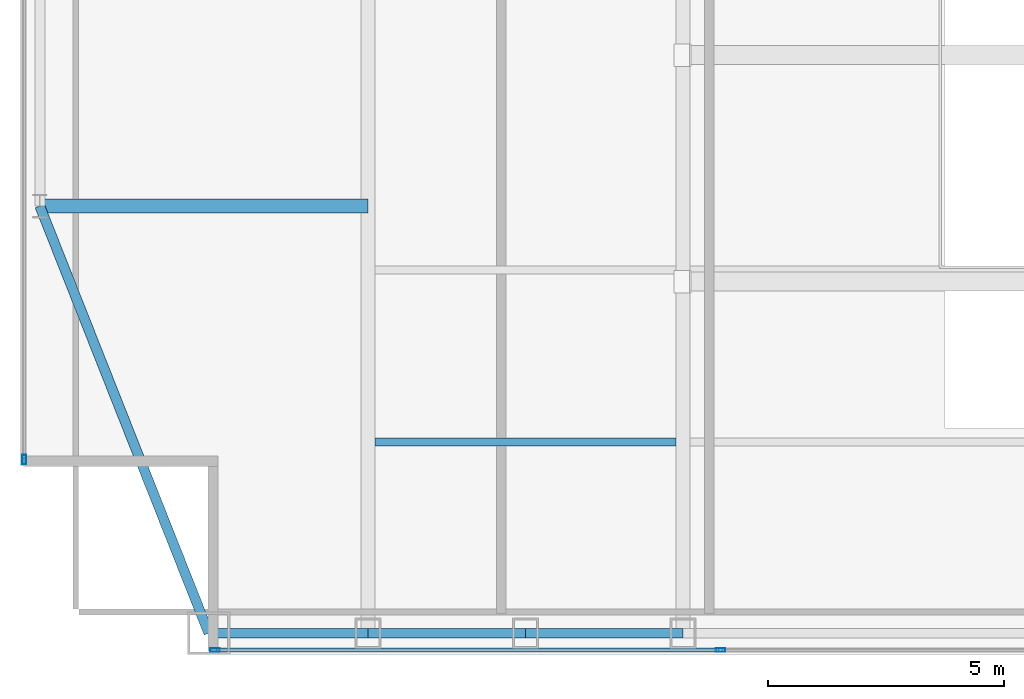
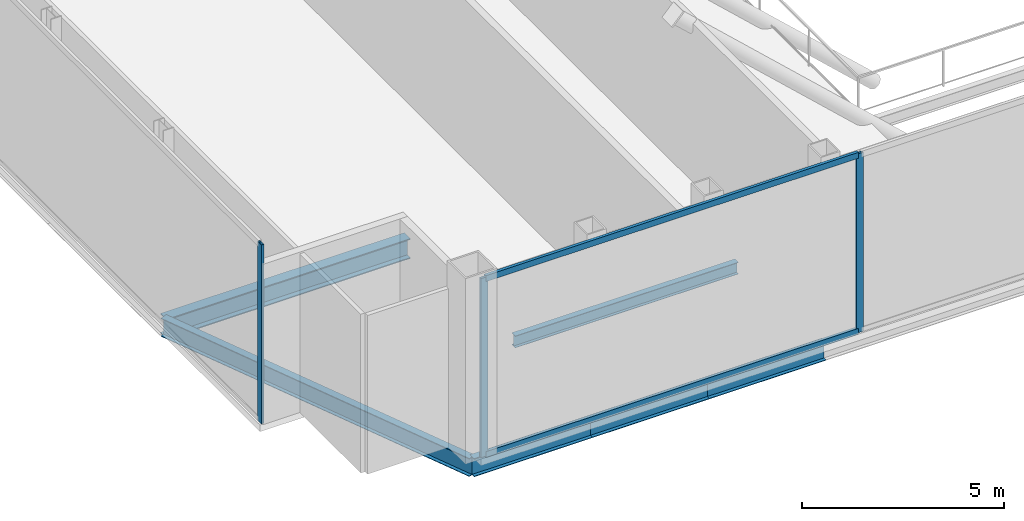
# One storey, part 4 of 23: 6 beams, 5 members, 2 elements without a shape of their own.
"""IFC4 building model written with IfcOpenShell, lengths in metres."""

from ifc_helpers import new_model, si_unit, direction, frame, origin, origin_2d, place, context, subcontext, project, spatial, hollow_rectangle, i_section, extrude, material, material_profile, profile_set, type_object, element, aggregate, save


model = new_model("IFC4")

# Units and contexts
model_context = context("Model", 3, precision=1e-05, world=origin(), true_north=direction((0.0, 1.0)))
body_context = subcontext(model_context, "Body", "Model", "MODEL_VIEW")
ifc_project = project(units=[si_unit("LENGTHUNIT", "METRE"), si_unit("AREAUNIT", "SQUARE_METRE"), si_unit("VOLUMEUNIT", "CUBIC_METRE"), si_unit("PLANEANGLEUNIT", "RADIAN"), si_unit("MASSUNIT", "GRAM", prefix="KILO")], contexts=[model_context])

# Site, building, storey
site_placement = place(None, origin())
site = spatial("IfcSite", under=ifc_project, at=site_placement, CompositionType="ELEMENT")
building_placement = place(site_placement, origin())
building = spatial("IfcBuilding", under=site, at=building_placement, Name="Khoronbel Lancet Exchange", CompositionType="ELEMENT")
storey_placement = place(building_placement, frame((0.0, 0.0, 356.199951171875)))
storey = spatial("IfcBuildingStorey", under=building, at=storey_placement, Name="L92", CompositionType="ELEMENT", Elevation=356.199951171875)

# Beams
ifc_material_1 = material(Name="Steel S355", Category="steel")
ifc_material_profile_1 = material_profile(ifc_material_1, i_section(OverallWidth=0.300048828125, OverallDepth=0.60009765625, WebThickness=0.015380859375, FlangeThickness=0.030029296875, at=origin_2d()), Name="HEB 600")
ifc_profile_set_1 = profile_set([ifc_material_profile_1], Name="Steel S355")
beam_type_1 = type_object("IfcBeamType", Name="BM-BG5", PredefinedType="BEAM", material=ifc_profile_set_1)
beam_1_placement = place(storey_placement, frame((11.27001953125, 19.199951171875, -0.5), z_axis=(1.0, 0.0, 0.0), x_axis=(0.0, 1.0, 0.0)))
element("IfcBeam", 1, at=beam_1_placement, inside=storey, type_object=beam_type_1, Name="Level L92 west lens tie girder LG1W", PredefinedType="BEAM", context=body_context, shape_type="SweptSolid", body=[
    extrude(i_section(OverallWidth=0.300048828125, OverallDepth=0.60009765625, WebThickness=0.015380859375, FlangeThickness=0.030029296875, at=origin_2d()), origin(), (0.0, 0.0, 1.0), 6.955078125),
])
ifc_material_profile_2 = material_profile(ifc_material_1, i_section(OverallWidth=0.169921875, OverallDepth=0.360107421875, WebThickness=0.008056640625, FlangeThickness=0.0126953125, at=origin_2d()), Name="IPE 360")
ifc_profile_set_2 = profile_set([ifc_material_profile_2], Name="Steel S355")
beam_type_2 = type_object("IfcBeamType", Name="BM-BJ6", PredefinedType="JOIST", material=ifc_profile_set_2)
beam_2_placement = place(storey_placement, frame((18.375, 14.199951171875, -0.3798828125), z_axis=(1.0, 0.0, 0.0), x_axis=(0.0, 1.0, 0.0)))
element("IfcBeam", 2, at=beam_2_placement, inside=storey, type_object=beam_type_2, Name="Level L92 secondary composite joist J01", PredefinedType="JOIST", context=body_context, shape_type="SweptSolid", body=[
    extrude(i_section(OverallWidth=0.169921875, OverallDepth=0.360107421875, WebThickness=0.008056640625, FlangeThickness=0.0126953125, at=origin_2d()), origin(), (0.0, 0.0, 1.0), 6.375),
])
ifc_material_profile_3 = material_profile(ifc_material_1, i_section(OverallWidth=0.2099609375, OverallDepth=0.550048828125, WebThickness=0.010986328125, FlangeThickness=0.01708984375, at=origin_2d()), Name="IPE 550")
ifc_profile_set_3 = profile_set([ifc_material_profile_3], Name="Steel S355")
beam_type_3 = type_object("IfcBeamType", Name="BM-BSP3", PredefinedType="SPANDREL", material=ifc_profile_set_3)
beam_3_placement = place(storey_placement, frame((14.85009765625, 10.14990234375, -0.474853515625), z_axis=(1.0, 0.0, 0.0), x_axis=(0.0, 1.0, 0.0)))
element("IfcBeam", 3, at=beam_3_placement, inside=storey, type_object=beam_type_3, Name="Level L92 perimeter spandrel beam SP01", PredefinedType="SPANDREL", context=body_context, shape_type="SweptSolid", body=[
    extrude(i_section(OverallWidth=0.2099609375, OverallDepth=0.550048828125, WebThickness=0.010986328125, FlangeThickness=0.01708984375, at=origin_2d()), origin(), (0.0, 0.0, 1.0), 3.375),
])
for number, where, z_axis, x_axis, name in (
    (4, (18.22509765625, 10.14990234375, -0.474853515625), (1.0, 0.0, 0.0), (0.0, 1.0, 0.0), "Level L92 perimeter spandrel beam SP02"),
    (5, (21.5625, 10.14990234375, -0.474853515625), (1.0, 0.0, 0.0), (0.0, 1.0, 0.0), "Level L92 perimeter spandrel beam SP03"),
):
    element("IfcBeam", number, at=place(storey_placement, frame(where, z_axis=z_axis, x_axis=x_axis)), inside=storey, type_object=beam_type_3, Name=name, PredefinedType="SPANDREL", context=body_context, shape_type="SweptSolid", body=[
        extrude(i_section(OverallWidth=0.2099609375, OverallDepth=0.550048828125, WebThickness=0.010986328125, FlangeThickness=0.01708984375, at=origin_2d()), origin(), (0.0, 0.0, 1.0), 3.33740234375),
    ])
beam_4_placement = place(storey_placement, frame((11.27001953125, 19.199951171875, -0.474853515625), z_axis=(0.367850095026, -0.92988510451, 0.0), x_axis=(0.92988510451, 0.367850095026, 0.0)))
element("IfcBeam", 6, at=beam_4_placement, inside=storey, type_object=beam_type_3, Name="Level L92 perimeter spandrel beam SP19", PredefinedType="SPANDREL", context=body_context, shape_type="SweptSolid", body=[
    extrude(i_section(OverallWidth=0.2099609375, OverallDepth=0.550048828125, WebThickness=0.010986328125, FlangeThickness=0.01708984375, at=origin_2d()), origin(), (0.0, 0.0, 1.0), 9.732421875),
])

# Curtain wall, member
ifc_material_2 = material(Name="Low-E Solar Control Insulating Glass", Category="glass")
curtain_wall_type = type_object("IfcCurtainWallType", Name="CW-6", PredefinedType="NOTDEFINED", material=ifc_material_2)
curtain_wall_1_placement = place(storey_placement, origin())
curtain_wall_1 = element("IfcCurtainWall", 7, at=curtain_wall_1_placement, inside=storey, type_object=curtain_wall_type, Name="Unitised curtain wall CW-L92-E03", PredefinedType="NOTDEFINED")
ifc_material_3 = material(Name="Bronze-Anodised Aluminium 6063-T6", Category="aluminium")
ifc_material_profile_4 = material_profile(ifc_material_3, hollow_rectangle(XDim=0.074951171875, YDim=0.199951171875, WallThickness=0.0048828125, at=origin_2d()), Name="ALU MULLION 75x200")
ifc_profile_set_4 = profile_set([ifc_material_profile_4], Name="Bronze-Anodised Aluminium 6063-T6")
member_type_1 = type_object("IfcMemberType", Name="MEM-CWM2", PredefinedType="MULLION", material=ifc_profile_set_4)
member_1_placement = place(storey_placement, frame((10.93994140625, 13.827392578125, 0.0), z_axis=(0.0, 0.0, 1.0), x_axis=(-1.0, 0.0, 0.0)))
member_1 = element("IfcMember", 8, at=member_1_placement, type_object=member_type_1, Name="CW6 mullion 1", PredefinedType="MULLION", context=body_context, shape_type="SweptSolid", body=[
    extrude(hollow_rectangle(XDim=0.074951171875, YDim=0.199951171875, WallThickness=0.0048828125, at=origin_2d()), origin(), (0.0, 0.0, 1.0), 5.400146484375),
])
aggregate(curtain_wall_1, [member_1])

# Curtain wall, members
curtain_wall_2_placement = place(storey_placement, origin())
curtain_wall_2 = element("IfcCurtainWall", 9, at=curtain_wall_2_placement, inside=storey, type_object=curtain_wall_type, Name="Unitised curtain wall CW-L92-E12", PredefinedType="NOTDEFINED")
member_2_placement = place(storey_placement, frame((25.695068359375, 9.7900390625, 0.0), z_axis=(0.0, 0.0, 1.0), x_axis=(0.0, -1.0, 0.0)))
member_2 = element("IfcMember", 10, at=member_2_placement, type_object=member_type_1, Name="CW6 mullion 4", PredefinedType="MULLION", context=body_context, shape_type="SweptSolid", body=[
    extrude(hollow_rectangle(XDim=0.074951171875, YDim=0.199951171875, WallThickness=0.0048828125, at=origin_2d()), origin(), (0.0, 0.0, 1.0), 5.400146484375),
])
member_3_placement = place(storey_placement, frame((14.9775390625, 9.7900390625, 0.0), z_axis=(0.0, 0.0, 1.0), x_axis=(0.0, -1.0, 0.0)))
member_3 = element("IfcMember", 11, at=member_3_placement, type_object=member_type_1, Name="CW6 mullion 5", PredefinedType="MULLION", context=body_context, shape_type="SweptSolid", body=[
    extrude(hollow_rectangle(XDim=0.074951171875, YDim=0.199951171875, WallThickness=0.0048828125, at=origin_2d()), origin(), (0.0, 0.0, 1.0), 5.400146484375),
])
ifc_material_profile_5 = material_profile(ifc_material_3, hollow_rectangle(XDim=0.0849609375, YDim=0.179931640625, WallThickness=0.0048828125, at=origin_2d()), Name="ALU TRANSOM 85x180")
ifc_profile_set_5 = profile_set([ifc_material_profile_5], Name="Bronze-Anodised Aluminium 6063-T6")
member_type_2 = type_object("IfcMemberType", Name="MEM-CWT1", PredefinedType="USERDEFINED", material=ifc_profile_set_5)
member_4_placement = place(storey_placement, frame((25.657470703125, 9.7900390625, 0.04248046875), z_axis=(-1.0, 0.0, 0.0), x_axis=(0.0, -1.0, 0.0)))
member_4 = element("IfcMember", 12, at=member_4_placement, type_object=member_type_2, Name="CW6 transom 4.1", ObjectType="TRANSOM", PredefinedType="USERDEFINED", context=body_context, shape_type="SweptSolid", body=[
    extrude(hollow_rectangle(XDim=0.0849609375, YDim=0.179931640625, WallThickness=0.0048828125, at=origin_2d()), origin(), (0.0, 0.0, 1.0), 10.642578125),
])
member_5_placement = place(storey_placement, frame((25.657470703125, 9.7900390625, 5.357666015625), z_axis=(-1.0, 0.0, 0.0), x_axis=(0.0, -1.0, 0.0)))
member_5 = element("IfcMember", 13, at=member_5_placement, type_object=member_type_2, Name="CW6 transom 4.2", ObjectType="TRANSOM", PredefinedType="USERDEFINED", context=body_context, shape_type="SweptSolid", body=[
    extrude(hollow_rectangle(XDim=0.0849609375, YDim=0.179931640625, WallThickness=0.0048828125, at=origin_2d()), origin(), (0.0, 0.0, 1.0), 10.642578125),
])
aggregate(curtain_wall_2, [member_2, member_3, member_4, member_5])

save(model, "model.ifc")
